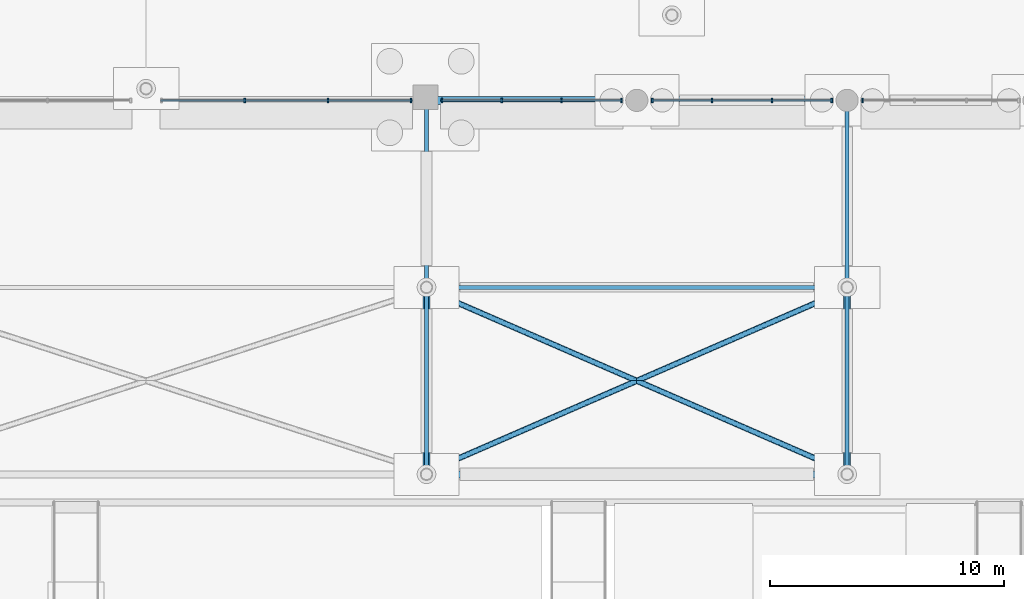
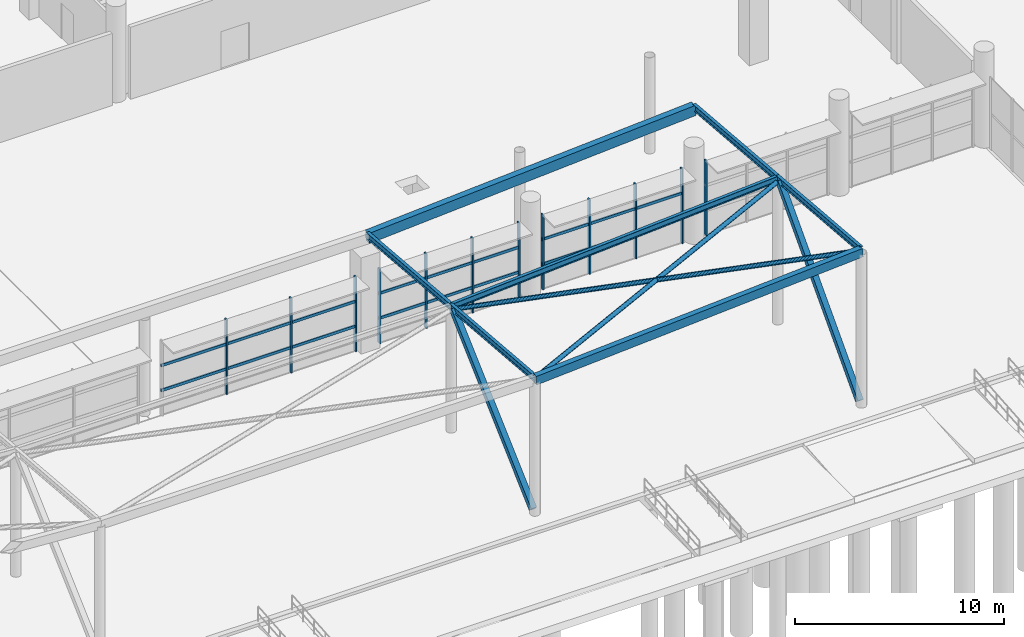
# One storey, part 38 of 98: 22 members, 7 beams, 4 elements without a shape of their own.
"""IFC4 building model written with IfcOpenShell, lengths in metres."""

import ifcopenshell
import ifcopenshell.guid

model = None  # the IFC model being written
_history = None  # IfcOwnerHistory: only IFC2X3 demands one
_inside = {}  # id of a spatial element -> (the spatial element, [elements in it])
_under = {}  # id of a project, library or spatial element -> (it, [spatial elements below it])
_declared = {}  # id of a project -> (the project, [libraries it declares])
_typed = {}  # id of a type object -> (the type object, [elements of that type])
_made_of = {}  # id of a material, layer set ... -> (it, [elements and type objects made of it])


def new_model(schema):
    """Start an empty IFC model of exactly this schema.

    Asked for "IFC4X3", IfcOpenShell would pick the latest addendum, in which some entities
    have other attributes; the version numbers below select the first issue.
    IFC2X3 requires an IfcOwnerHistory on every rooted entity: one is made here for all.
    """
    global model, _history
    if schema == "IFC4X3":
        model = ifcopenshell.file(schema_version=(4, 3, 0, 0))
    else:
        model = ifcopenshell.file(schema=schema)
    _inside.clear()
    _under.clear()
    _declared.clear()
    _typed.clear()
    _made_of.clear()
    _history = None
    if model.schema == "IFC2X3":
        org = make("IfcOrganization", Name="unknown")
        user = make(
            "IfcPersonAndOrganization",
            ThePerson=make("IfcPerson", FamilyName="unknown"),
            TheOrganization=org,
        )
        app = make(
            "IfcApplication",
            ApplicationDeveloper=org,
            Version="unknown",
            ApplicationFullName="unknown",
            ApplicationIdentifier="unknown",
        )
        _history = make(
            "IfcOwnerHistory",
            OwningUser=user,
            OwningApplication=app,
            ChangeAction="ADDED",
            CreationDate=0,
        )
    return model


def make(cls, **values):
    """One entity of the class cls with the attributes given. An attribute that is None is left unset."""
    return model.create_entity(
        cls, **{name: value for name, value in values.items() if value is not None}
    )


def rooted(cls, **values):
    """An entity with a GlobalId (a new one), such as an element, a storey or a relation."""
    return make(cls, GlobalId=ifcopenshell.guid.new(), OwnerHistory=_history, **values)


def si_unit(unit_type, name, prefix=None):
    """IfcSIUnit, for example si_unit("LENGTHUNIT", "METRE", prefix="MILLI")."""
    return make("IfcSIUnit", UnitType=unit_type, Prefix=prefix, Name=name)


def derived_unit(unit_type, elements):
    """IfcDerivedUnit: a product of units, each with its exponent."""
    return make(
        "IfcDerivedUnit",
        Elements=[
            make("IfcDerivedUnitElement", Unit=unit, Exponent=power)
            for unit, power in elements
        ],
        UnitType=unit_type,
    )


def assignment(units):
    """IfcUnitAssignment: the units of a project."""
    return None if units is None else make("IfcUnitAssignment", Units=units)


def point(xyz):
    """IfcCartesianPoint."""
    return None if xyz is None else make("IfcCartesianPoint", Coordinates=xyz)


def direction(xyz):
    """IfcDirection."""
    return None if xyz is None else make("IfcDirection", DirectionRatios=xyz)


def frame(location, z_axis=None, x_axis=None):
    """IfcAxis2Placement3D, a coordinate frame: its origin and axes. An axis left out is left unset."""
    return make(
        "IfcAxis2Placement3D",
        Location=point(location),
        Axis=direction(z_axis),
        RefDirection=direction(x_axis),
    )


def frame_2d(location, x_axis=None):
    """IfcAxis2Placement2D, a coordinate frame in the plane: its origin and x axis."""
    return make(
        "IfcAxis2Placement2D", Location=point(location), RefDirection=direction(x_axis)
    )


def origin():
    """The frame at (0, 0, 0) with its axes left unset."""
    return frame((0.0, 0.0, 0.0))


def origin_2d():
    """The frame at (0, 0) in the plane with its x axis left unset."""
    return frame_2d((0.0, 0.0))


def place(relative_to, where):
    """IfcLocalPlacement: puts the frame where relative to a parent placement (None: the world)."""
    return make(
        "IfcLocalPlacement", PlacementRelTo=relative_to, RelativePlacement=where
    )


def context(
    kind, dimensions, precision=None, world=None, true_north=None, identifier=None
):
    """IfcGeometricRepresentationContext, for example the 3D "Model" context."""
    return make(
        "IfcGeometricRepresentationContext",
        ContextIdentifier=identifier,
        ContextType=kind,
        CoordinateSpaceDimension=dimensions,
        Precision=precision,
        WorldCoordinateSystem=world,
        TrueNorth=true_north,
    )


def subcontext(parent, identifier, kind, view, scale=None):
    """IfcGeometricRepresentationSubContext, for example "Body" below "Model"."""
    return make(
        "IfcGeometricRepresentationSubContext",
        ContextIdentifier=identifier,
        ContextType=kind,
        ParentContext=parent,
        TargetScale=scale,
        TargetView=view,
    )


def project(units=None, contexts=None):
    """IfcProject with its units and contexts."""
    return rooted(
        "IfcProject",
        Name="project",
        RepresentationContexts=contexts,
        UnitsInContext=assignment(units),
    )


def spatial(cls, under=None, at=None, **own):
    """A site, building, storey or space (cls), placed at a placement, below another one or the project."""
    s = rooted(cls, ObjectPlacement=at, **own)
    if under is not None:
        _under.setdefault(under.id(), (under, []))[1].append(s)
    return s


def profile(cls, at=None, kind="AREA", **sizes):
    """A parametric profile (cls). Its sizes go by their IFC names, for example OverallWidth=200.0."""
    return make(cls, ProfileType=kind, Position=at, **sizes)


def rectangle(**sizes):
    """IfcRectangleProfileDef."""
    return profile("IfcRectangleProfileDef", **sizes)


def hollow_rectangle(**sizes):
    """IfcRectangleHollowProfileDef."""
    return profile("IfcRectangleHollowProfileDef", **sizes)


def hollow_circle(**sizes):
    """IfcCircleHollowProfileDef."""
    return profile("IfcCircleHollowProfileDef", **sizes)


def i_section(**sizes):
    """IfcIShapeProfileDef."""
    return profile("IfcIShapeProfileDef", **sizes)


def extrude(swept, where, along, depth):
    """IfcExtrudedAreaSolid: the profile swept, set in the frame where, extruded along a direction by depth."""
    return make(
        "IfcExtrudedAreaSolid",
        SweptArea=swept,
        Position=where,
        ExtrudedDirection=direction(along),
        Depth=depth,
    )


def shape(context_of_items, identifier, shape_type, items):
    """IfcShapeRepresentation: the items that make up one representation, for example the "Body"."""
    return make(
        "IfcShapeRepresentation",
        ContextOfItems=context_of_items,
        RepresentationIdentifier=identifier,
        RepresentationType=shape_type,
        Items=items,
    )


def material(Name=None, Category=None):
    """IfcMaterial."""
    return make("IfcMaterial", Name=Name, Category=Category)


def layer(
    of_material, thickness, ventilated=None, Name=None, Category=None, Priority=None
):
    """IfcMaterialLayer: one layer of a wall or slab, of a material (None: an air gap)."""
    return make(
        "IfcMaterialLayer",
        Material=of_material,
        LayerThickness=thickness,
        IsVentilated=ventilated,
        Name=Name,
        Category=Category,
        Priority=Priority,
    )


def layer_set(layers, Name=None):
    """IfcMaterialLayerSet."""
    return make("IfcMaterialLayerSet", MaterialLayers=layers, LayerSetName=Name)


def material_profile(
    of_material, cross_section, Name=None, Category=None, Priority=None
):
    """IfcMaterialProfile: a cross section and its material."""
    return make(
        "IfcMaterialProfile",
        Name=Name,
        Material=of_material,
        Profile=cross_section,
        Priority=Priority,
        Category=Category,
    )


def profile_set(profiles, Name=None, composite=None):
    """IfcMaterialProfileSet."""
    return make(
        "IfcMaterialProfileSet",
        Name=Name,
        MaterialProfiles=profiles,
        CompositeProfile=composite,
    )


def made_of(thing, what):
    """Note that an element or type object is made of a material, layer set ...; save() writes the relation."""
    if what is not None:
        _made_of.setdefault(what.id(), (what, []))[1].append(thing)
    return thing


def type_object(cls, material=None, **own):
    """A type object (cls), such as IfcWallType, which elements share."""
    return made_of(rooted(cls, **own), material)


def element(
    cls,
    number,
    at=None,
    inside=None,
    cuts=None,
    type_object=None,
    material=None,
    context=None,
    identifier="Body",
    shape_type=None,
    held_by="IfcProductDefinitionShape",
    body=None,
    shapes=None,
    **own,
):
    """One element of the class cls, such as IfcWall. Its Tag is "e" and its number.

    at: its placement. inside: the storey or other place that contains it. cuts: it is an
    opening in that element (IfcRelVoidsElement). A single representation is given by context,
    identifier, shape_type and body (its items); several are given by shapes. held_by: the class
    of the entity that holds the representations. save() writes the other relations.
    """
    e = rooted(cls, Tag="e%d" % number, ObjectPlacement=at, **own)
    if body is not None:
        shapes = [shape(context, identifier, shape_type, body)]
    if shapes is not None:
        e.Representation = make(held_by, Representations=shapes)
    if inside is not None:
        _inside.setdefault(inside.id(), (inside, []))[1].append(e)
    if cuts is not None:
        rooted(
            "IfcRelVoidsElement", RelatingBuildingElement=cuts, RelatedOpeningElement=e
        )
    if type_object is not None:
        _typed.setdefault(type_object.id(), (type_object, []))[1].append(e)
    return made_of(e, material)


def aggregate(whole, parts):
    """IfcRelAggregates: a whole, such as a stair, and the parts it consists of."""
    return rooted("IfcRelAggregates", RelatingObject=whole, RelatedObjects=parts)


def save(model, path):
    """Write the relations noted so far, then the file.

    IfcRelAggregates (storeys below a building ...), IfcRelContainedInSpatialStructure (elements
    in a storey), IfcRelDefinesByType, IfcRelAssociatesMaterial and IfcRelDeclares: one each for
    every whole, place, type object, material and project.
    """
    for whole, parts in _under.values():
        aggregate(whole, parts)
    for where, things in _inside.values():
        rooted(
            "IfcRelContainedInSpatialStructure",
            RelatedElements=things,
            RelatingStructure=where,
        )
    for kind, things in _typed.values():
        rooted("IfcRelDefinesByType", RelatedObjects=things, RelatingType=kind)
    for what, things in _made_of.values():
        rooted("IfcRelAssociatesMaterial", RelatedObjects=things, RelatingMaterial=what)
    for by, libraries in _declared.values():
        rooted("IfcRelDeclares", RelatingContext=by, RelatedDefinitions=libraries)
    model.write(path)


model = new_model("IFC4")

# Units and contexts
model_context = context("Model", 3, precision=1e-05, world=origin(), true_north=direction((0.0, 1.0)))
body_context = subcontext(model_context, "Body", "Model", "MODEL_VIEW")
ifc_project = project(units=[si_unit("LENGTHUNIT", "METRE"), si_unit("AREAUNIT", "SQUARE_METRE"), si_unit("VOLUMEUNIT", "CUBIC_METRE"), si_unit("PLANEANGLEUNIT", "RADIAN"), si_unit("MASSUNIT", "GRAM", prefix="KILO"), si_unit("THERMODYNAMICTEMPERATUREUNIT", "KELVIN"), derived_unit("THERMALTRANSMITTANCEUNIT", [(si_unit("POWERUNIT", "WATT"), 1), (si_unit("AREAUNIT", "SQUARE_METRE"), -1), (si_unit("THERMODYNAMICTEMPERATUREUNIT", "KELVIN"), -1)])], contexts=[model_context])

# Site, building, storey
site_placement = place(None, origin())
site = spatial("IfcSite", under=ifc_project, at=site_placement, CompositionType="ELEMENT")
building_placement = place(site_placement, origin())
building = spatial("IfcBuilding", under=site, at=building_placement, Name="Haiyu Intermodal Mobility Hub", CompositionType="ELEMENT")
storey_placement = place(building_placement, origin())
storey = spatial("IfcBuildingStorey", under=building, at=storey_placement, Name="L00", CompositionType="ELEMENT", Elevation=0.0)

# Beams
ifc_material_1 = material(Name="Steel Q355C", Category="steel")
ifc_material_profile_1 = material_profile(ifc_material_1, hollow_rectangle(XDim=0.35009765625, YDim=0.60009765625, WallThickness=0.01806640625, at=origin_2d()), Name="RHS600x350x18")
ifc_profile_set_1 = profile_set([ifc_material_profile_1], Name="Steel Q355C")
beam_type_1 = type_object("IfcBeamType", Name="BM-SB02", PredefinedType="BEAM", material=ifc_profile_set_1)
beam_1_placement = place(storey_placement, frame((120.0, 40.0, 6.412109375), z_axis=(0.997894450833, 0.0, 0.064858808165), x_axis=(0.0, 1.0, 0.0)))
element("IfcBeam", 1, at=beam_1_placement, inside=storey, type_object=beam_type_1, Name="BM-CAN-L00-009", PredefinedType="BEAM", context=body_context, shape_type="SweptSolid", body=[
    extrude(hollow_rectangle(XDim=0.35009765625, YDim=0.60009765625, WallThickness=0.01806640625, at=origin_2d()), origin(), (0.0, 0.0, 1.0), 18.0380859375),
])
ifc_material_profile_2 = material_profile(ifc_material_1, i_section(OverallWidth=0.175048828125, OverallDepth=0.35009765625, WebThickness=0.007080078125, FlangeThickness=0.010986328125, FilletRadius=0.013916015625, at=origin_2d()), Name="HN350x175x7x11")
ifc_profile_set_2 = profile_set([ifc_material_profile_2], Name="Steel Q355C")
beam_type_2 = type_object("IfcBeamType", Name="BM-SB09", PredefinedType="JOIST", material=ifc_profile_set_2)
beam_2_placement = place(storey_placement, frame((120.0, 32.0, 7.2119140625), z_axis=(0.99789357474, 0.0, 0.064872286021), x_axis=(0.0, 1.0, 0.0)))
element("IfcBeam", 2, at=beam_2_placement, inside=storey, type_object=beam_type_2, Name="BM-CAN-L00-006", PredefinedType="JOIST", context=body_context, shape_type="SweptSolid", body=[
    extrude(i_section(OverallWidth=0.175048828125, OverallDepth=0.35009765625, WebThickness=0.007080078125, FlangeThickness=0.010986328125, FilletRadius=0.013916015625, at=origin_2d()), origin(), (0.0, 0.0, 1.0), 18.0380859375),
])
beam_3_placement = place(storey_placement, frame((120.0, 24.0, 7.889892578125), z_axis=(0.0, 0.996461361287, -0.084052099689), x_axis=(-1.0, 0.0, 0.0)))
element("IfcBeam", 3, at=beam_3_placement, inside=storey, type_object=beam_type_2, Name="BM-CANT-L00-014", PredefinedType="JOIST", context=body_context, shape_type="SweptSolid", body=[
    extrude(i_section(OverallWidth=0.175048828125, OverallDepth=0.35009765625, WebThickness=0.007080078125, FlangeThickness=0.010986328125, FilletRadius=0.013916015625, at=origin_2d()), origin(), (0.0, 0.0, 1.0), 8.0283203125),
])
beam_4_placement = place(storey_placement, frame((120.0, 32.0, 7.215087890625), z_axis=(0.0, 0.996454104571, -0.084138085814), x_axis=(-1.0, 0.0, 0.0)))
element("IfcBeam", 4, at=beam_4_placement, inside=storey, type_object=beam_type_2, Name="BM-CANT-L00-015", PredefinedType="JOIST", context=body_context, shape_type="SweptSolid", body=[
    extrude(i_section(OverallWidth=0.175048828125, OverallDepth=0.35009765625, WebThickness=0.007080078125, FlangeThickness=0.010986328125, FilletRadius=0.013916015625, at=origin_2d()), origin(), (0.0, 0.0, 1.0), 7.98828125),
])
beam_5_placement = place(storey_placement, frame((138.0, 24.0, 9.06005859375), z_axis=(0.0, 0.996458813891, -0.084082294324), x_axis=(-1.0, 0.0, 0.0)))
element("IfcBeam", 5, at=beam_5_placement, inside=storey, type_object=beam_type_2, Name="BM-CANT-L00-016", PredefinedType="JOIST", context=body_context, shape_type="SweptSolid", body=[
    extrude(i_section(OverallWidth=0.175048828125, OverallDepth=0.35009765625, WebThickness=0.007080078125, FlangeThickness=0.010986328125, FilletRadius=0.013916015625, at=origin_2d()), origin(), (0.0, 0.0, 1.0), 8.0283203125),
])
beam_6_placement = place(storey_placement, frame((138.0, 32.0, 8.385009765625), z_axis=(0.0, 0.996454104571, -0.084138085814), x_axis=(-1.0, 0.0, 0.0)))
element("IfcBeam", 6, at=beam_6_placement, inside=storey, type_object=beam_type_2, Name="BM-CANT-L00-017", PredefinedType="JOIST", context=body_context, shape_type="SweptSolid", body=[
    extrude(i_section(OverallWidth=0.175048828125, OverallDepth=0.35009765625, WebThickness=0.007080078125, FlangeThickness=0.010986328125, FilletRadius=0.013916015625, at=origin_2d()), origin(), (0.0, 0.0, 1.0), 7.98828125),
])
ifc_material_profile_3 = material_profile(ifc_material_1, hollow_rectangle(XDim=0.300048828125, YDim=0.5, WallThickness=0.01611328125, at=origin_2d()), Name="RHS500x300x16")
ifc_profile_set_3 = profile_set([ifc_material_profile_3], Name="Steel Q355C")
beam_type_3 = type_object("IfcBeamType", Name="BM-SB15", PredefinedType="SPANDREL", material=ifc_profile_set_3)
beam_7_placement = place(storey_placement, frame((120.0, 24.0, 7.81201171875), z_axis=(0.997894450833, 0.0, 0.064858808165), x_axis=(0.0, 1.0, 0.0)))
element("IfcBeam", 7, at=beam_7_placement, inside=storey, type_object=beam_type_3, Name="BM-CAN-L00-003", PredefinedType="SPANDREL", context=body_context, shape_type="SweptSolid", body=[
    extrude(hollow_rectangle(XDim=0.300048828125, YDim=0.5, WallThickness=0.01611328125, at=origin_2d()), origin(), (0.0, 0.0, 1.0), 18.0380859375),
])

# Curtain wall, members
ifc_material_2 = material(Name="Low-e laminated insulating glass", Category="glass")
ifc_layer = layer(ifc_material_2, 0.219970703125)
ifc_layer_set = layer_set([ifc_layer], Name="Low-e laminated insulating glass")
curtain_wall_type = type_object("IfcCurtainWallType", Name="CW-CW01", PredefinedType="NOTDEFINED", material=ifc_layer_set)
curtain_wall_1_placement = place(storey_placement, origin())
curtain_wall_1 = element("IfcCurtainWall", 8, at=curtain_wall_1_placement, inside=storey, type_object=curtain_wall_type, Name="Curtain Wall CW-V1S-L00-011", PredefinedType="NOTDEFINED")
ifc_material_3 = material(Name="Anodised aluminium 6063-T6", Category="aluminium")
ifc_material_profile_4 = material_profile(ifc_material_3, rectangle(XDim=0.074951171875, YDim=0.199951171875, at=origin_2d()), Name="ALU75x200")
ifc_profile_set_4 = profile_set([ifc_material_profile_4], Name="Anodised aluminium 6063-T6")
member_type_1 = type_object("IfcMemberType", Name="CWM-ML01", PredefinedType="MULLION", material=ifc_profile_set_4)
member_1_placement = place(storey_placement, frame((112.219970703125, 40.0, 0.0), z_axis=(0.0, 0.0, 1.0), x_axis=(1.0, 0.0, 0.0)))
member_1 = element("IfcMember", 9, at=member_1_placement, type_object=member_type_1, Name="CW-V1S-L00-011-ML02", PredefinedType="MULLION", context=body_context, shape_type="SweptSolid", body=[
    extrude(rectangle(XDim=0.074951171875, YDim=0.199951171875, at=origin_2d()), origin(), (0.0, 0.0, 1.0), 4.35009765625),
])
member_2_placement = place(storey_placement, frame((115.780029296875, 40.0, 0.0), z_axis=(0.0, 0.0, 1.0), x_axis=(1.0, 0.0, 0.0)))
member_2 = element("IfcMember", 10, at=member_2_placement, type_object=member_type_1, Name="CW-V1S-L00-011-ML03", PredefinedType="MULLION", context=body_context, shape_type="SweptSolid", body=[
    extrude(rectangle(XDim=0.074951171875, YDim=0.199951171875, at=origin_2d()), origin(), (0.0, 0.0, 1.0), 4.35009765625),
])
member_3_placement = place(storey_placement, frame((119.340087890625, 40.0, 0.0), z_axis=(0.0, 0.0, 1.0), x_axis=(1.0, 0.0, 0.0)))
member_3 = element("IfcMember", 11, at=member_3_placement, type_object=member_type_1, Name="CW-V1S-L00-011-ML04", PredefinedType="MULLION", context=body_context, shape_type="SweptSolid", body=[
    extrude(rectangle(XDim=0.074951171875, YDim=0.199951171875, at=origin_2d()), origin(), (0.0, 0.0, 1.0), 4.35009765625),
])

curtain_wall_2_placement = place(storey_placement, origin())
curtain_wall_2 = element("IfcCurtainWall", 12, at=curtain_wall_2_placement, inside=storey, type_object=curtain_wall_type, Name="Curtain Wall CW-V1S-L00-013", PredefinedType="NOTDEFINED")
member_4_placement = place(storey_placement, frame((120.659912109375, 40.0, 0.0), z_axis=(0.0, 0.0, 1.0), x_axis=(1.0, 0.0, 0.0)))
member_4 = element("IfcMember", 13, at=member_4_placement, type_object=member_type_1, Name="CW-V1S-L00-013-ML01", PredefinedType="MULLION", context=body_context, shape_type="SweptSolid", body=[
    extrude(rectangle(XDim=0.074951171875, YDim=0.199951171875, at=origin_2d()), origin(), (0.0, 0.0, 1.0), 4.35009765625),
])
member_5_placement = place(storey_placement, frame((123.219970703125, 40.0, 0.0), z_axis=(0.0, 0.0, 1.0), x_axis=(1.0, 0.0, 0.0)))
member_5 = element("IfcMember", 14, at=member_5_placement, type_object=member_type_1, Name="CW-V1S-L00-013-ML02", PredefinedType="MULLION", context=body_context, shape_type="SweptSolid", body=[
    extrude(rectangle(XDim=0.074951171875, YDim=0.199951171875, at=origin_2d()), origin(), (0.0, 0.0, 1.0), 4.35009765625),
])
member_6_placement = place(storey_placement, frame((125.780029296875, 40.0, 0.0), z_axis=(0.0, 0.0, 1.0), x_axis=(1.0, 0.0, 0.0)))
member_6 = element("IfcMember", 15, at=member_6_placement, type_object=member_type_1, Name="CW-V1S-L00-013-ML03", PredefinedType="MULLION", context=body_context, shape_type="SweptSolid", body=[
    extrude(rectangle(XDim=0.074951171875, YDim=0.199951171875, at=origin_2d()), origin(), (0.0, 0.0, 1.0), 4.35009765625),
])
member_7_placement = place(storey_placement, frame((128.340087890625, 40.0, 0.0), z_axis=(0.0, 0.0, 1.0), x_axis=(1.0, 0.0, 0.0)))
member_7 = element("IfcMember", 16, at=member_7_placement, type_object=member_type_1, Name="CW-V1S-L00-013-ML04", PredefinedType="MULLION", context=body_context, shape_type="SweptSolid", body=[
    extrude(rectangle(XDim=0.074951171875, YDim=0.199951171875, at=origin_2d()), origin(), (0.0, 0.0, 1.0), 4.35009765625),
])

curtain_wall_3_placement = place(storey_placement, origin())
curtain_wall_3 = element("IfcCurtainWall", 17, at=curtain_wall_3_placement, inside=storey, type_object=curtain_wall_type, Name="Curtain Wall CW-V1S-L00-015", PredefinedType="NOTDEFINED")
member_8_placement = place(storey_placement, frame((129.659912109375, 40.0, 0.0), z_axis=(0.0, 0.0, 1.0), x_axis=(1.0, 0.0, 0.0)))
member_8 = element("IfcMember", 18, at=member_8_placement, type_object=member_type_1, Name="CW-V1S-L00-015-ML01", PredefinedType="MULLION", context=body_context, shape_type="SweptSolid", body=[
    extrude(rectangle(XDim=0.074951171875, YDim=0.199951171875, at=origin_2d()), origin(), (0.0, 0.0, 1.0), 4.35009765625),
])
member_9_placement = place(storey_placement, frame((132.219970703125, 40.0, 0.0), z_axis=(0.0, 0.0, 1.0), x_axis=(1.0, 0.0, 0.0)))
member_9 = element("IfcMember", 19, at=member_9_placement, type_object=member_type_1, Name="CW-V1S-L00-015-ML02", PredefinedType="MULLION", context=body_context, shape_type="SweptSolid", body=[
    extrude(rectangle(XDim=0.074951171875, YDim=0.199951171875, at=origin_2d()), origin(), (0.0, 0.0, 1.0), 4.35009765625),
])
member_10_placement = place(storey_placement, frame((134.780029296875, 40.0, 0.0), z_axis=(0.0, 0.0, 1.0), x_axis=(1.0, 0.0, 0.0)))
member_10 = element("IfcMember", 20, at=member_10_placement, type_object=member_type_1, Name="CW-V1S-L00-015-ML03", PredefinedType="MULLION", context=body_context, shape_type="SweptSolid", body=[
    extrude(rectangle(XDim=0.074951171875, YDim=0.199951171875, at=origin_2d()), origin(), (0.0, 0.0, 1.0), 4.35009765625),
])
member_11_placement = place(storey_placement, frame((137.340087890625, 40.0, 0.0), z_axis=(0.0, 0.0, 1.0), x_axis=(1.0, 0.0, 0.0)))
member_11 = element("IfcMember", 21, at=member_11_placement, type_object=member_type_1, Name="CW-V1S-L00-015-ML04", PredefinedType="MULLION", context=body_context, shape_type="SweptSolid", body=[
    extrude(rectangle(XDim=0.074951171875, YDim=0.199951171875, at=origin_2d()), origin(), (0.0, 0.0, 1.0), 4.35009765625),
])

# Curtain wall, member
curtain_wall_4_placement = place(storey_placement, origin())
curtain_wall_4 = element("IfcCurtainWall", 22, at=curtain_wall_4_placement, inside=storey, type_object=curtain_wall_type, Name="Curtain Wall CW-V1S-L00-017", PredefinedType="NOTDEFINED")
member_12_placement = place(storey_placement, frame((138.659912109375, 40.0, 0.0), z_axis=(0.0, 0.0, 1.0), x_axis=(1.0, 0.0, 0.0)))
member_12 = element("IfcMember", 23, at=member_12_placement, type_object=member_type_1, Name="CW-V1S-L00-017-ML01", PredefinedType="MULLION", context=body_context, shape_type="SweptSolid", body=[
    extrude(rectangle(XDim=0.074951171875, YDim=0.199951171875, at=origin_2d()), origin(), (0.0, 0.0, 1.0), 4.35009765625),
])
aggregate(curtain_wall_4, [member_12])

# Member
ifc_material_profile_5 = material_profile(ifc_material_3, rectangle(XDim=0.074951171875, YDim=0.159912109375, at=origin_2d()), Name="ALU75x160")
ifc_profile_set_5 = profile_set([ifc_material_profile_5], Name="Anodised aluminium 6063-T6")
member_type_2 = type_object("IfcMemberType", Name="CWM-TR01", PredefinedType="USERDEFINED", material=ifc_profile_set_5)
member_13_placement = place(storey_placement, frame((108.6201171875, 40.0, 1.449951171875), z_axis=(1.0, 0.0, 0.0), x_axis=(0.0, 1.0, 0.0)))
member_13 = element("IfcMember", 24, at=member_13_placement, type_object=member_type_2, Name="CW-V1S-L00-011-TR01", ObjectType="TRANSOM", PredefinedType="USERDEFINED", context=body_context, shape_type="SweptSolid", body=[
    extrude(rectangle(XDim=0.074951171875, YDim=0.159912109375, at=origin_2d()), origin(), (0.0, 0.0, 1.0), 10.759765625),
])

member_14_placement = place(storey_placement, frame((108.6201171875, 40.0, 2.89990234375), z_axis=(1.0, 0.0, 0.0), x_axis=(0.0, 1.0, 0.0)))
member_14 = element("IfcMember", 25, at=member_14_placement, type_object=member_type_2, Name="CW-V1S-L00-011-TR02", ObjectType="TRANSOM", PredefinedType="USERDEFINED", context=body_context, shape_type="SweptSolid", body=[
    extrude(rectangle(XDim=0.074951171875, YDim=0.159912109375, at=origin_2d()), origin(), (0.0, 0.0, 1.0), 10.759765625),
])

aggregate(curtain_wall_1, [member_1, member_2, member_3, member_13, member_14])

member_15_placement = place(storey_placement, frame((120.6201171875, 40.0, 1.449951171875), z_axis=(1.0, 0.0, 0.0), x_axis=(0.0, 1.0, 0.0)))
member_15 = element("IfcMember", 26, at=member_15_placement, type_object=member_type_2, Name="CW-V1S-L00-013-TR01", ObjectType="TRANSOM", PredefinedType="USERDEFINED", context=body_context, shape_type="SweptSolid", body=[
    extrude(rectangle(XDim=0.074951171875, YDim=0.159912109375, at=origin_2d()), origin(), (0.0, 0.0, 1.0), 7.759765625),
])

member_16_placement = place(storey_placement, frame((120.6201171875, 40.0, 2.89990234375), z_axis=(1.0, 0.0, 0.0), x_axis=(0.0, 1.0, 0.0)))
member_16 = element("IfcMember", 27, at=member_16_placement, type_object=member_type_2, Name="CW-V1S-L00-013-TR02", ObjectType="TRANSOM", PredefinedType="USERDEFINED", context=body_context, shape_type="SweptSolid", body=[
    extrude(rectangle(XDim=0.074951171875, YDim=0.159912109375, at=origin_2d()), origin(), (0.0, 0.0, 1.0), 7.759765625),
])

aggregate(curtain_wall_2, [member_4, member_5, member_6, member_7, member_15, member_16])

member_17_placement = place(storey_placement, frame((129.6201171875, 40.0, 1.449951171875), z_axis=(1.0, 0.0, 0.0), x_axis=(0.0, 1.0, 0.0)))
member_17 = element("IfcMember", 28, at=member_17_placement, type_object=member_type_2, Name="CW-V1S-L00-015-TR01", ObjectType="TRANSOM", PredefinedType="USERDEFINED", context=body_context, shape_type="SweptSolid", body=[
    extrude(rectangle(XDim=0.074951171875, YDim=0.159912109375, at=origin_2d()), origin(), (0.0, 0.0, 1.0), 7.759765625),
])

member_18_placement = place(storey_placement, frame((129.6201171875, 40.0, 2.89990234375), z_axis=(1.0, 0.0, 0.0), x_axis=(0.0, 1.0, 0.0)))
member_18 = element("IfcMember", 29, at=member_18_placement, type_object=member_type_2, Name="CW-V1S-L00-015-TR02", ObjectType="TRANSOM", PredefinedType="USERDEFINED", context=body_context, shape_type="SweptSolid", body=[
    extrude(rectangle(XDim=0.074951171875, YDim=0.159912109375, at=origin_2d()), origin(), (0.0, 0.0, 1.0), 7.759765625),
])

aggregate(curtain_wall_3, [member_8, member_9, member_10, member_11, member_17, member_18])

# Members
ifc_material_profile_6 = material_profile(ifc_material_1, hollow_circle(Radius=0.12255859375, WallThickness=0.008056640625, at=origin_2d()), Name="CHS245x8")
ifc_profile_set_6 = profile_set([ifc_material_profile_6], Name="Steel Q355C")
member_type_3 = type_object("IfcMemberType", Name="MEM-BR03", PredefinedType="BRACE", material=ifc_profile_set_6)
member_19_placement = place(storey_placement, frame((120.14990234375, 24.14990234375, 7.780029296875), z_axis=(0.916684367233, 0.398789309552, 0.025629230516), x_axis=(-0.398920347977, 0.916985581113, 0.0)))
element("IfcMember", 30, at=member_19_placement, inside=storey, type_object=member_type_3, Name="Canopy Wind Brace 03A", PredefinedType="BRACE", context=body_context, shape_type="SweptSolid", body=[
    extrude(hollow_circle(Radius=0.12255859375, WallThickness=0.008056640625, at=origin_2d()), origin(), (0.0, 0.0, 1.0), 19.308837890625),
])
member_20_placement = place(storey_placement, frame((137.85009765625, 24.14990234375, 8.949951171875), z_axis=(-0.912825354242, 0.397110505832, -0.095147878648), x_axis=(-0.398920347977, -0.916985581113, 0.0)))
element("IfcMember", 31, at=member_20_placement, inside=storey, type_object=member_type_3, Name="Canopy Wind Brace 03B", PredefinedType="BRACE", context=body_context, shape_type="SweptSolid", body=[
    extrude(hollow_circle(Radius=0.12255859375, WallThickness=0.008056640625, at=origin_2d()), origin(), (0.0, 0.0, 1.0), 19.390625),
])
ifc_material_profile_7 = material_profile(ifc_material_1, hollow_rectangle(XDim=0.300048828125, YDim=0.300048828125, WallThickness=0.011962890625, at=origin_2d()), Name="SHS300x300x12")
ifc_profile_set_7 = profile_set([ifc_material_profile_7], Name="Steel Q355C")
member_type_4 = type_object("IfcMemberType", Name="MEM-BR04", PredefinedType="BRACE", material=ifc_profile_set_7)
member_21_placement = place(storey_placement, frame((120.0, 24.179931640625, 0.14990234375), z_axis=(0.0, 0.735878049844, 0.677114093604), x_axis=(-1.0, 0.0, 0.0)))
element("IfcMember", 32, at=member_21_placement, inside=storey, type_object=member_type_4, Name="Canopy Forecourt V-Strut 120", PredefinedType="BRACE", context=body_context, shape_type="SweptSolid", body=[
    extrude(hollow_rectangle(XDim=0.300048828125, YDim=0.300048828125, WallThickness=0.011962890625, at=origin_2d()), origin(), (0.0, 0.0, 1.0), 10.38232421875),
])
member_22_placement = place(storey_placement, frame((138.0, 24.179931640625, 0.14990234375), z_axis=(0.0, 0.681680020239, 0.73165042883), x_axis=(-1.0, 0.0, 0.0)))
element("IfcMember", 33, at=member_22_placement, inside=storey, type_object=member_type_4, Name="Canopy Forecourt V-Strut 138", PredefinedType="BRACE", context=body_context, shape_type="SweptSolid", body=[
    extrude(hollow_rectangle(XDim=0.300048828125, YDim=0.300048828125, WallThickness=0.011962890625, at=origin_2d()), origin(), (0.0, 0.0, 1.0), 11.207763671875),
])

save(model, "model.ifc")
